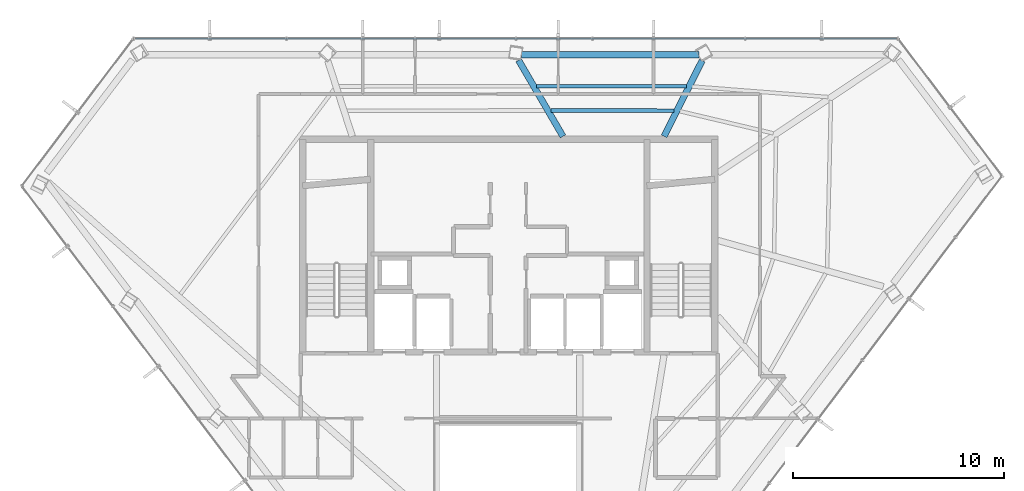
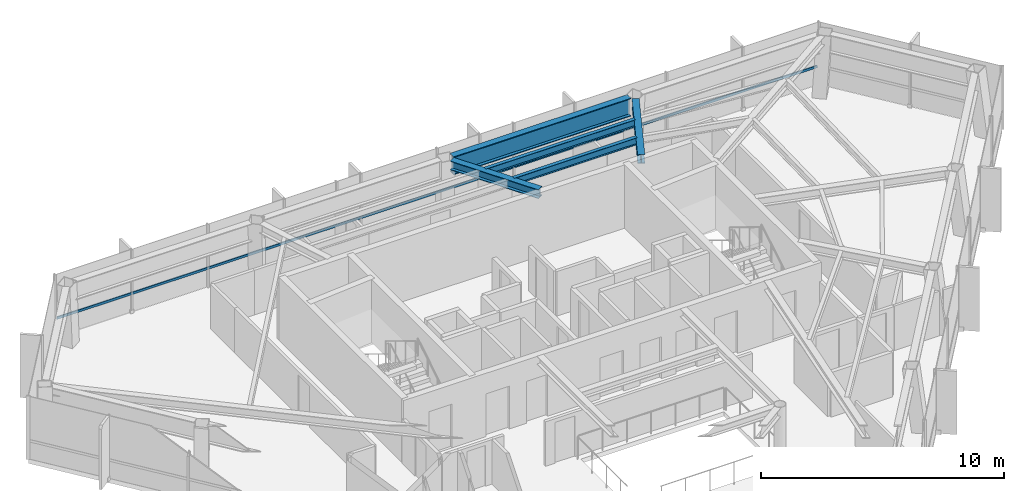
# One storey, part 15 of 27: 5 beams, 1 member, 1 element without a shape of its own.
"""IFC4 building model written with IfcOpenShell, lengths in metres."""

from ifc_helpers import new_model, si_unit, direction, frame, origin, origin_2d, place, context, subcontext, project, spatial, hollow_rectangle, i_section, extrude, material, layer, layer_set, material_profile, profile_set, type_object, element, aggregate, save


model = new_model("IFC4")

# Units and contexts
model_context = context("Model", 3, precision=1e-05, world=origin(), true_north=direction((0.0, 1.0)))
body_context = subcontext(model_context, "Body", "Model", "MODEL_VIEW")
ifc_project = project(units=[si_unit("LENGTHUNIT", "METRE"), si_unit("AREAUNIT", "SQUARE_METRE"), si_unit("VOLUMEUNIT", "CUBIC_METRE"), si_unit("PLANEANGLEUNIT", "RADIAN"), si_unit("MASSUNIT", "GRAM", prefix="KILO")], contexts=[model_context])

# Site, building, storey
site_placement = place(None, origin())
site = spatial("IfcSite", under=ifc_project, at=site_placement, CompositionType="ELEMENT")
building_placement = place(site_placement, origin())
building = spatial("IfcBuilding", under=site, at=building_placement, Name="Zarrinselat Tower", CompositionType="ELEMENT")
storey_placement = place(building_placement, frame((0.0, 0.0, 235.9599609375)))
storey = spatial("IfcBuildingStorey", under=building, at=storey_placement, Name="L59", CompositionType="ELEMENT", Elevation=235.9599609375)

# Beams
ifc_material_1 = material(Name="Steel S355J2", Category="steel")
ifc_material_profile_1 = material_profile(ifc_material_1, i_section(OverallWidth=0.300048828125, OverallDepth=0.449951171875, WebThickness=0.013916015625, FlangeThickness=0.02587890625, at=origin_2d()), Name="HEB 450")
ifc_profile_set_1 = profile_set([ifc_material_profile_1], Name="Steel S355J2")
beam_type_1 = type_object("IfcBeamType", Name="BM-HEB450", PredefinedType="BEAM", material=ifc_profile_set_1)
beam_1_placement = place(storey_placement, frame((45.800048828125, 43.5400390625, 2.955078125), z_axis=(0.448981509487, 0.89354104782, 0.0), x_axis=(-0.89354104782, 0.448981509487, 0.0)))
element("IfcBeam", 1, at=beam_1_placement, inside=storey, type_object=beam_type_1, Name="L59 Radial Primary Girder RG02", PredefinedType="BEAM", context=body_context, shape_type="SweptSolid", body=[
    extrude(i_section(OverallWidth=0.300048828125, OverallDepth=0.449951171875, WebThickness=0.013916015625, FlangeThickness=0.02587890625, at=origin_2d()), origin(), (0.0, 0.0, 1.0), 4.0302734375),
])
beam_2_placement = place(storey_placement, frame((38.896728515625, 47.150146484375, 2.955078125), z_axis=(0.503402274464, -0.864052168601, 0.0), x_axis=(0.864052168601, 0.503402274464, 0.0)))
element("IfcBeam", 2, at=beam_2_placement, inside=storey, type_object=beam_type_1, Name="L59 Radial Primary Girder RG03", PredefinedType="BEAM", context=body_context, shape_type="SweptSolid", body=[
    extrude(i_section(OverallWidth=0.300048828125, OverallDepth=0.449951171875, WebThickness=0.013916015625, FlangeThickness=0.02587890625, at=origin_2d()), origin(), (0.0, 0.0, 1.0), 4.17822265625),
])
ifc_material_2 = material(Name="Steel S460M", Category="steel")
ifc_material_profile_2 = material_profile(ifc_material_2, i_section(OverallWidth=0.302001953125, OverallDepth=0.909912109375, WebThickness=0.02099609375, FlangeThickness=0.0400390625, at=origin_2d()), Name="HEM 900")
ifc_profile_set_2 = profile_set([ifc_material_profile_2], Name="Steel S460M")
beam_type_2 = type_object("IfcBeamType", Name="BM-HEM900", PredefinedType="BEAM", material=ifc_profile_set_2)
beam_3_placement = place(storey_placement, frame((39.03271484375, 47.4111328125, 2.72509765625), z_axis=(1.0, 0.0, 0.0), x_axis=(0.0, 1.0, 0.0)))
element("IfcBeam", 3, at=beam_3_placement, inside=storey, type_object=beam_type_2, Name="L59 Perimeter Spandrel Girder SP02", PredefinedType="BEAM", context=body_context, shape_type="SweptSolid", body=[
    extrude(i_section(OverallWidth=0.302001953125, OverallDepth=0.909912109375, WebThickness=0.02099609375, FlangeThickness=0.0400390625, at=origin_2d()), origin(), (0.0, 0.0, 1.0), 8.424560546875),
])
ifc_material_3 = material(Name="Steel S355J2", Category="steel")
ifc_material_profile_3 = material_profile(ifc_material_3, i_section(OverallWidth=0.169921875, OverallDepth=0.360107421875, WebThickness=0.008056640625, FlangeThickness=0.0126953125, at=origin_2d()), Name="IPE 360")
ifc_profile_set_3 = profile_set([ifc_material_profile_3], Name="Steel S355J2")
beam_type_3 = type_object("IfcBeamType", Name="BM-IPE360", PredefinedType="JOIST", material=ifc_profile_set_3)
beam_4_placement = place(storey_placement, frame((39.751953125, 45.922607421875, 3.0), z_axis=(0.999999687458, -0.000790622282, 0.0), x_axis=(0.000790622282, 0.999999687458, 0.0)))
element("IfcBeam", 4, at=beam_4_placement, inside=storey, type_object=beam_type_3, Name="L59 Composite Floor Joist 7-1", PredefinedType="JOIST", context=body_context, shape_type="SweptSolid", body=[
    extrude(i_section(OverallWidth=0.169921875, OverallDepth=0.360107421875, WebThickness=0.008056640625, FlangeThickness=0.0126953125, at=origin_2d()), origin(), (0.0, 0.0, 1.0), 7.102294921875),
])
beam_5_placement = place(storey_placement, frame((40.4248046875, 44.767333984375, 3.0), z_axis=(0.999999874624, -0.000500751064, 0.0), x_axis=(0.000500751064, 0.999999874624, 0.0)))
element("IfcBeam", 5, at=beam_5_placement, inside=storey, type_object=beam_type_3, Name="L59 Composite Floor Joist 7-2", PredefinedType="JOIST", context=body_context, shape_type="SweptSolid", body=[
    extrude(i_section(OverallWidth=0.169921875, OverallDepth=0.360107421875, WebThickness=0.008056640625, FlangeThickness=0.0126953125, at=origin_2d()), origin(), (0.0, 0.0, 1.0), 5.8505859375),
])

# Curtain wall, member
ifc_material_4 = material(Name="Extruded Aluminium Alloy EN AW-6063 T6", Category="aluminium")
ifc_layer = layer(ifc_material_4, 0.169921875)
ifc_layer_set = layer_set([ifc_layer], Name="Extruded Aluminium Alloy EN AW-6063 T6")
curtain_wall_type = type_object("IfcCurtainWallType", Name="CWS-RES", PredefinedType="NOTDEFINED", material=ifc_layer_set)
curtain_wall_placement = place(storey_placement, origin())
curtain_wall = element("IfcCurtainWall", 6, at=curtain_wall_placement, inside=storey, type_object=curtain_wall_type, Name="L59 Unitised Curtain Wall CW-L59-E01", PredefinedType="NOTDEFINED")
ifc_material_5 = material(Name="Extruded Aluminium Alloy EN AW-6063 T6", Category="aluminium")
ifc_material_profile_4 = material_profile(ifc_material_5, hollow_rectangle(XDim=0.06005859375, YDim=0.1201171875, WallThickness=0.00390625, at=origin_2d()), Name="RHS 120x60x4")
ifc_profile_set_4 = profile_set([ifc_material_profile_4], Name="Extruded Aluminium Alloy EN AW-6063 T6")
member_type = type_object("IfcMemberType", Name="MEM-CW-TRN2", PredefinedType="USERDEFINED", material=ifc_profile_set_4)
member_placement = place(storey_placement, frame((56.8251953125, 48.177734375, 0.949951171875), z_axis=(-1.0, 0.0, 0.0), x_axis=(0.0, -1.0, 0.0)))
member = element("IfcMember", 7, at=member_placement, type_object=member_type, Name="CW-L59-E01 Transom 1", ObjectType="TRANSOM", PredefinedType="USERDEFINED", context=body_context, shape_type="SweptSolid", body=[
    extrude(hollow_rectangle(XDim=0.06005859375, YDim=0.1201171875, WallThickness=0.00390625, at=origin_2d()), origin(), (0.0, 0.0, 1.0), 36.123779296875),
])
aggregate(curtain_wall, [member])

save(model, "model.ifc")
